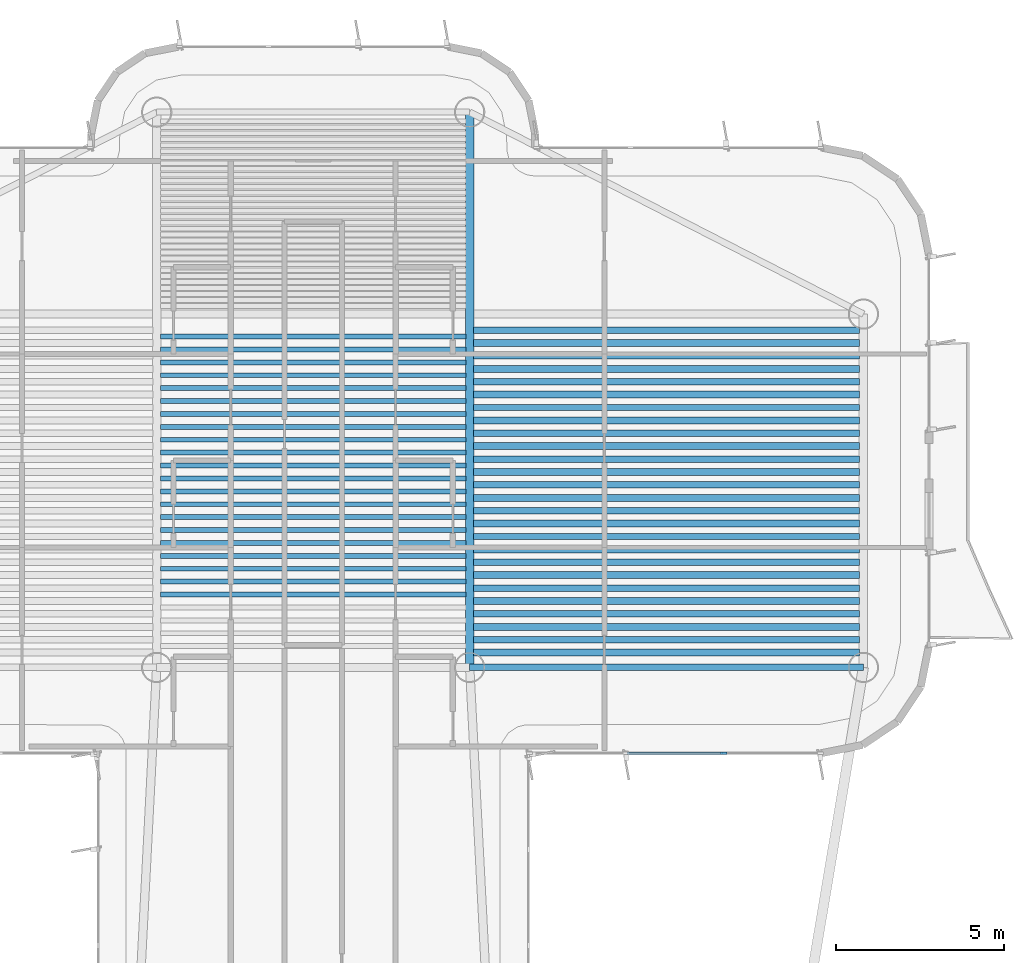
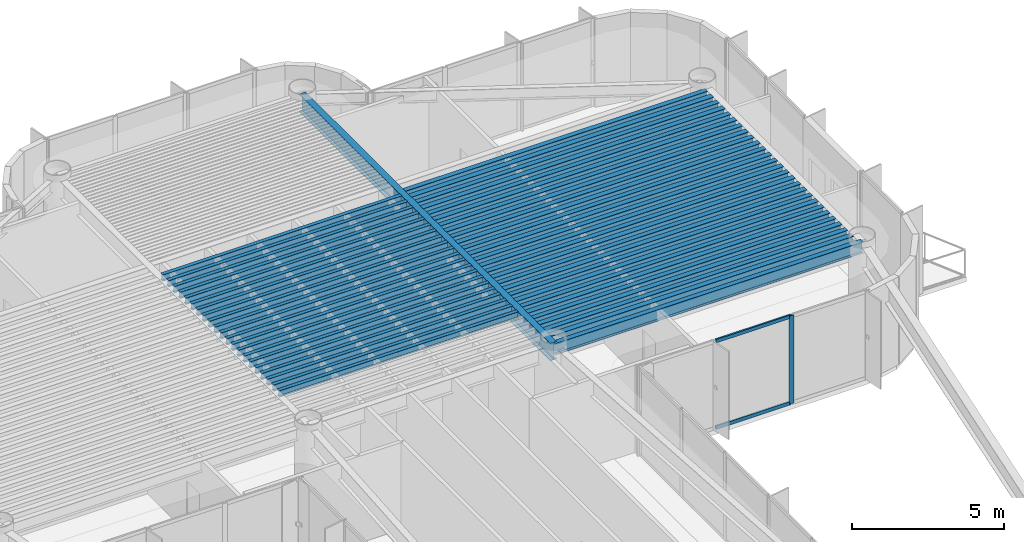
# One storey, part 6 of 16: 49 beams, 3 members, 1 element without a shape of its own.
"""IFC4 building model written with IfcOpenShell, lengths in metres."""

from ifc_helpers import new_model, si_unit, direction, frame, origin, origin_2d, place, context, subcontext, project, spatial, rectangle, i_section, extrude, source, transform, mapped, material, layer, layer_set, material_profile, profile_set, type_object, element, aggregate, save


model = new_model("IFC4")

# Units and contexts
model_context = context("Model", 3, precision=1e-05, world=origin(), true_north=direction((0.0, 1.0)))
body_context = subcontext(model_context, "Body", "Model", "MODEL_VIEW")
ifc_project = project(units=[si_unit("LENGTHUNIT", "METRE"), si_unit("AREAUNIT", "SQUARE_METRE"), si_unit("VOLUMEUNIT", "CUBIC_METRE"), si_unit("PLANEANGLEUNIT", "RADIAN"), si_unit("MASSUNIT", "GRAM", prefix="KILO")], contexts=[model_context])

# Site, building, storey
site_placement = place(None, origin())
site = spatial("IfcSite", under=ifc_project, at=site_placement, CompositionType="ELEMENT")
building_placement = place(site_placement, origin())
building = spatial("IfcBuilding", under=site, at=building_placement, Name="Brelvock Crest Care Tower", CompositionType="ELEMENT")
storey_placement = place(building_placement, frame((0.0, 0.0, 238.139892578125)))
storey = spatial("IfcBuildingStorey", under=building, at=storey_placement, Name="L60", CompositionType="ELEMENT", Elevation=238.139892578125)

# Beams
ifc_material_1 = material(Name="Steel Grade 350", Category="steel")
ifc_material_profile_1 = material_profile(ifc_material_1, i_section(OverallWidth=0.14599609375, OverallDepth=0.256103515625, WebThickness=0.00634765625, FlangeThickness=0.010986328125, FilletRadius=0.0087890625, at=origin_2d()), Name="250UB37.3")
ifc_profile_set_1 = profile_set([ifc_material_profile_1], Name="Steel Grade 350")
beam_type_1 = type_object("IfcBeamType", Name="BM-J3", PredefinedType="JOIST", material=ifc_profile_set_1)
shared_shape_1 = source(origin(), body_context, "Body", "SweptSolid", [
    extrude(i_section(OverallWidth=0.14599609375, OverallDepth=0.256103515625, WebThickness=0.00634765625, FlangeThickness=0.010986328125, FilletRadius=0.0087890625, at=origin_2d()), origin(), (0.0, 0.0, 1.0), 9.06982421875),
])
for number, where, z_axis, x_axis, name in (
    (1, (31.465087890625, 46.115478515625, 3.402099609375), (1.0, 0.0, 0.0), (0.0, 1.0, 0.0), "BM-JH-L60-5"),
    (2, (31.465087890625, 46.498779296875, 3.402099609375), (1.0, 0.0, 0.0), (0.0, 1.0, 0.0), "BM-JH-L60-6"),
    (3, (31.465087890625, 46.882080078125, 3.402099609375), (1.0, 0.0, 0.0), (0.0, 1.0, 0.0), "BM-JH-L60-7"),
    (4, (31.465087890625, 47.265380859375, 3.402099609375), (1.0, 0.0, 0.0), (0.0, 1.0, 0.0), "BM-JH-L60-8"),
    (5, (31.465087890625, 47.648681640625, 3.402099609375), (1.0, 0.0, 0.0), (0.0, 1.0, 0.0), "BM-JH-L60-9"),
    (6, (31.465087890625, 48.031982421875, 3.402099609375), (1.0, 0.0, 0.0), (0.0, 1.0, 0.0), "BM-JH-L60-10"),
    (7, (31.465087890625, 48.4150390625, 3.402099609375), (1.0, 0.0, 0.0), (0.0, 1.0, 0.0), "BM-JH-L60-11"),
    (8, (31.465087890625, 48.79833984375, 3.402099609375), (1.0, 0.0, 0.0), (0.0, 1.0, 0.0), "BM-JH-L60-12"),
    (9, (31.465087890625, 49.181640625, 3.402099609375), (1.0, 0.0, 0.0), (0.0, 1.0, 0.0), "BM-JH-L60-13"),
    (10, (31.465087890625, 49.564697265625, 3.402099609375), (1.0, 0.0, 0.0), (0.0, 1.0, 0.0), "BM-JH-L60-14"),
    (11, (31.465087890625, 49.947998046875, 3.402099609375), (1.0, 0.0, 0.0), (0.0, 1.0, 0.0), "BM-JH-L60-15"),
    (12, (31.465087890625, 50.331298828125, 3.402099609375), (1.0, 0.0, 0.0), (0.0, 1.0, 0.0), "BM-JH-L60-16"),
    (13, (31.465087890625, 50.714599609375, 3.402099609375), (1.0, 0.0, 0.0), (0.0, 1.0, 0.0), "BM-JH-L60-17"),
    (14, (31.465087890625, 51.097900390625, 3.402099609375), (1.0, 0.0, 0.0), (0.0, 1.0, 0.0), "BM-JH-L60-18"),
    (15, (31.465087890625, 51.481201171875, 3.402099609375), (1.0, 0.0, 0.0), (0.0, 1.0, 0.0), "BM-JH-L60-19"),
    (16, (31.465087890625, 51.864501953125, 3.402099609375), (1.0, 0.0, 0.0), (0.0, 1.0, 0.0), "BM-JH-L60-20"),
    (17, (31.465087890625, 52.24755859375, 3.402099609375), (1.0, 0.0, 0.0), (0.0, 1.0, 0.0), "BM-JH-L60-21"),
    (18, (31.465087890625, 52.630859375, 3.402099609375), (1.0, 0.0, 0.0), (0.0, 1.0, 0.0), "BM-JH-L60-22"),
    (19, (31.465087890625, 53.01416015625, 3.402099609375), (1.0, 0.0, 0.0), (0.0, 1.0, 0.0), "BM-JH-L60-23"),
    (20, (31.465087890625, 53.3974609375, 3.402099609375), (1.0, 0.0, 0.0), (0.0, 1.0, 0.0), "BM-JH-L60-24"),
    (21, (31.465087890625, 53.780517578125, 3.402099609375), (1.0, 0.0, 0.0), (0.0, 1.0, 0.0), "BM-JH-L60-25"),
):
    element("IfcBeam", number, at=place(storey_placement, frame(where, z_axis=z_axis, x_axis=x_axis)), inside=storey, type_object=beam_type_1, Name=name, PredefinedType="JOIST", context=body_context, shape_type="MappedRepresentation", body=[
        mapped(shared_shape_1, transform((0.0, 0.0, 0.0), x_axis=(1.0, 0.0, 0.0), y_axis=(0.0, 1.0, 0.0), z_axis=(0.0, 0.0, 1.0), scale=1.0)),
    ])
ifc_material_profile_2 = material_profile(ifc_material_1, i_section(OverallWidth=0.19091796875, OverallDepth=0.4599609375, WebThickness=0.010009765625, FlangeThickness=0.01611328125, FilletRadius=0.011474609375, at=origin_2d()), Name="460UB82.1")
ifc_profile_set_2 = profile_set([ifc_material_profile_2], Name="Steel Grade 350")
beam_type_2 = type_object("IfcBeamType", Name="BM-G3", PredefinedType="BEAM", material=ifc_profile_set_2)
shared_shape_2 = source(origin(), body_context, "Body", "SweptSolid", [
    extrude(i_section(OverallWidth=0.19091796875, OverallDepth=0.4599609375, WebThickness=0.010009765625, FlangeThickness=0.01611328125, FilletRadius=0.011474609375, at=origin_2d()), origin(), (0.0, 0.0, 1.0), 11.47021484375),
])
for number, where, z_axis, x_axis, name in (
    (22, (40.764892578125, 44.7744140625, 3.300048828125), (1.0, 0.0, 0.0), (0.0, 1.0, 0.0), "BM-JE-L60-2"),
    (23, (40.764892578125, 45.540771484375, 3.300048828125), (1.0, 0.0, 0.0), (0.0, 1.0, 0.0), "BM-JE-L60-4"),
    (24, (40.764892578125, 46.307373046875, 3.300048828125), (1.0, 0.0, 0.0), (0.0, 1.0, 0.0), "BM-JE-L60-6"),
    (25, (40.764892578125, 47.07373046875, 3.300048828125), (1.0, 0.0, 0.0), (0.0, 1.0, 0.0), "BM-JE-L60-8"),
    (26, (40.764892578125, 47.84033203125, 3.300048828125), (1.0, 0.0, 0.0), (0.0, 1.0, 0.0), "BM-JE-L60-10"),
    (27, (40.764892578125, 48.606689453125, 3.300048828125), (1.0, 0.0, 0.0), (0.0, 1.0, 0.0), "BM-JE-L60-12"),
    (28, (40.764892578125, 49.373291015625, 3.300048828125), (1.0, 0.0, 0.0), (0.0, 1.0, 0.0), "BM-JE-L60-14"),
    (29, (40.764892578125, 50.139892578125, 3.300048828125), (1.0, 0.0, 0.0), (0.0, 1.0, 0.0), "BM-JE-L60-16"),
    (30, (40.764892578125, 50.90625, 3.300048828125), (1.0, 0.0, 0.0), (0.0, 1.0, 0.0), "BM-JE-L60-18"),
    (31, (40.764892578125, 51.6728515625, 3.300048828125), (1.0, 0.0, 0.0), (0.0, 1.0, 0.0), "BM-JE-L60-20"),
    (32, (40.764892578125, 52.439208984375, 3.300048828125), (1.0, 0.0, 0.0), (0.0, 1.0, 0.0), "BM-JE-L60-22"),
    (33, (40.764892578125, 53.205810546875, 3.300048828125), (1.0, 0.0, 0.0), (0.0, 1.0, 0.0), "BM-JE-L60-24"),
    (34, (40.764892578125, 53.972412109375, 3.300048828125), (1.0, 0.0, 0.0), (0.0, 1.0, 0.0), "BM-JE-L60-26"),
):
    element("IfcBeam", number, at=place(storey_placement, frame(where, z_axis=z_axis, x_axis=x_axis)), inside=storey, type_object=beam_type_2, Name=name, PredefinedType="BEAM", context=body_context, shape_type="MappedRepresentation", body=[
        mapped(shared_shape_2, transform((0.0, 0.0, 0.0), x_axis=(1.0, 0.0, 0.0), y_axis=(0.0, 1.0, 0.0), z_axis=(0.0, 0.0, 1.0), scale=1.0)),
    ])
ifc_material_profile_3 = material_profile(ifc_material_1, i_section(OverallWidth=0.208984375, OverallDepth=0.532958984375, WebThickness=0.01025390625, FlangeThickness=0.015625, FilletRadius=0.013916015625, at=origin_2d()), Name="530UB92.4")
ifc_profile_set_3 = profile_set([ifc_material_profile_3], Name="Steel Grade 350")
beam_type_3 = type_object("IfcBeamType", Name="BM-G2", PredefinedType="BEAM", material=ifc_profile_set_3)
shared_shape_3 = source(origin(), body_context, "Body", "SweptSolid", [
    extrude(i_section(OverallWidth=0.208984375, OverallDepth=0.532958984375, WebThickness=0.01025390625, FlangeThickness=0.015625, FilletRadius=0.013916015625, at=origin_2d()), origin(), (0.0, 0.0, 1.0), 11.47021484375),
])
for number, where, z_axis, x_axis, name in (
    (35, (40.764892578125, 44.39111328125, 3.263671875), (1.0, 0.0, 0.0), (0.0, 1.0, 0.0), "BM-JE-L60-1"),
    (36, (40.764892578125, 45.157470703125, 3.263671875), (1.0, 0.0, 0.0), (0.0, 1.0, 0.0), "BM-JE-L60-3"),
    (37, (40.764892578125, 45.924072265625, 3.263671875), (1.0, 0.0, 0.0), (0.0, 1.0, 0.0), "BM-JE-L60-5"),
    (38, (40.764892578125, 46.6904296875, 3.263671875), (1.0, 0.0, 0.0), (0.0, 1.0, 0.0), "BM-JE-L60-7"),
    (39, (40.764892578125, 47.45703125, 3.263671875), (1.0, 0.0, 0.0), (0.0, 1.0, 0.0), "BM-JE-L60-9"),
    (40, (40.764892578125, 48.223388671875, 3.263671875), (1.0, 0.0, 0.0), (0.0, 1.0, 0.0), "BM-JE-L60-11"),
    (41, (40.764892578125, 48.989990234375, 3.263671875), (1.0, 0.0, 0.0), (0.0, 1.0, 0.0), "BM-JE-L60-13"),
    (42, (40.764892578125, 49.756591796875, 3.263671875), (1.0, 0.0, 0.0), (0.0, 1.0, 0.0), "BM-JE-L60-15"),
    (43, (40.764892578125, 50.52294921875, 3.263671875), (1.0, 0.0, 0.0), (0.0, 1.0, 0.0), "BM-JE-L60-17"),
    (44, (40.764892578125, 51.28955078125, 3.263671875), (1.0, 0.0, 0.0), (0.0, 1.0, 0.0), "BM-JE-L60-19"),
    (45, (40.764892578125, 52.055908203125, 3.263671875), (1.0, 0.0, 0.0), (0.0, 1.0, 0.0), "BM-JE-L60-21"),
    (46, (40.764892578125, 52.822509765625, 3.263671875), (1.0, 0.0, 0.0), (0.0, 1.0, 0.0), "BM-JE-L60-23"),
    (47, (40.764892578125, 53.589111328125, 3.263671875), (1.0, 0.0, 0.0), (0.0, 1.0, 0.0), "BM-JE-L60-25"),
):
    element("IfcBeam", number, at=place(storey_placement, frame(where, z_axis=z_axis, x_axis=x_axis)), inside=storey, type_object=beam_type_3, Name=name, PredefinedType="BEAM", context=body_context, shape_type="MappedRepresentation", body=[
        mapped(shared_shape_3, transform((0.0, 0.0, 0.0), x_axis=(1.0, 0.0, 0.0), y_axis=(0.0, 1.0, 0.0), z_axis=(0.0, 0.0, 1.0), scale=1.0)),
    ])
ifc_material_profile_4 = material_profile(ifc_material_1, i_section(OverallWidth=0.19091796875, OverallDepth=0.4599609375, WebThickness=0.010009765625, FlangeThickness=0.01611328125, FilletRadius=0.011474609375, at=origin_2d()), Name="460UB82.1")
ifc_profile_set_4 = profile_set([ifc_material_profile_4], Name="Steel Grade 350")
beam_type_4 = type_object("IfcBeamType", Name="BM-SP2", PredefinedType="SPANDREL", material=ifc_profile_set_4)
shared_shape_4 = source(origin(), body_context, "Body", "SweptSolid", [
    extrude(i_section(OverallWidth=0.19091796875, OverallDepth=0.4599609375, WebThickness=0.010009765625, FlangeThickness=0.01611328125, FilletRadius=0.011474609375, at=origin_2d()), origin(), (0.0, 0.0, 1.0), 11.7001953125),
])
beam_1_placement = place(storey_placement, frame((40.64990234375, 43.949951171875, 3.300048828125), z_axis=(1.0, 0.0, 0.0), x_axis=(0.0, 1.0, 0.0)))
element("IfcBeam", 48, at=beam_1_placement, inside=storey, type_object=beam_type_4, Name="BM-TWR-L60-04", PredefinedType="SPANDREL", context=body_context, shape_type="MappedRepresentation", body=[
    mapped(shared_shape_4, transform((0.0, 0.0, 0.0), x_axis=(1.0, 0.0, 0.0), y_axis=(0.0, 1.0, 0.0), z_axis=(0.0, 0.0, 1.0), scale=1.0)),
])
ifc_material_profile_5 = material_profile(ifc_material_1, i_section(OverallWidth=0.25, OverallDepth=0.699951171875, WebThickness=0.011962890625, FlangeThickness=0.02001953125, at=origin_2d()), Name="700WB150")
ifc_profile_set_5 = profile_set([ifc_material_profile_5], Name="Steel Grade 350")
beam_type_5 = type_object("IfcBeamType", Name="BM-G4", PredefinedType="BEAM", material=ifc_profile_set_5)
shared_shape_5 = source(origin(), body_context, "Body", "SweptSolid", [
    extrude(i_section(OverallWidth=0.25, OverallDepth=0.699951171875, WebThickness=0.011962890625, FlangeThickness=0.02001953125, at=origin_2d()), origin(), (0.0, 0.0, 1.0), 16.5),
])
beam_2_placement = place(storey_placement, frame((40.64990234375, 43.949951171875, 3.18017578125), z_axis=(0.0, 1.0, 0.0), x_axis=(-1.0, 0.0, 0.0)))
element("IfcBeam", 49, at=beam_2_placement, inside=storey, type_object=beam_type_5, Name="BM-TWR-L60-10", PredefinedType="BEAM", context=body_context, shape_type="MappedRepresentation", body=[
    mapped(shared_shape_5, transform((0.0, 0.0, 0.0), x_axis=(1.0, 0.0, 0.0), y_axis=(0.0, 1.0, 0.0), z_axis=(0.0, 0.0, 1.0), scale=1.0)),
])

# Curtain wall, members
ifc_material_2 = material(Name="Dark Glass Double Glazed Low-E", Category="glass")
ifc_layer = layer(ifc_material_2, 0.239990234375, Name="CWS-5")
ifc_layer_set = layer_set([ifc_layer], Name="Dark Glass Double Glazed Low-E")
curtain_wall_type = type_object("IfcCurtainWallType", Name="CWS-5", PredefinedType="NOTDEFINED", material=ifc_layer_set)
curtain_wall_placement = place(storey_placement, origin())
curtain_wall = element("IfcCurtainWall", 50, at=curtain_wall_placement, inside=storey, type_object=curtain_wall_type, Name="L60 Curtain Wall E44", PredefinedType="NOTDEFINED")
ifc_material_3 = material(Name="Aluminium 6063-T6", Category="aluminium")
ifc_material_profile_6 = material_profile(ifc_material_3, rectangle(XDim=0.06005859375, YDim=0.179931640625, at=origin_2d()), Name="ALU60x180")
ifc_profile_set_6 = profile_set([ifc_material_profile_6], Name="Aluminium 6063-T6")
member_type_1 = type_object("IfcMemberType", Name="CWM-2", PredefinedType="MULLION", material=ifc_profile_set_6)
shared_shape_6 = source(origin(), body_context, "Body", "SweptSolid", [
    extrude(rectangle(XDim=0.06005859375, YDim=0.179931640625, at=origin_2d()), origin(), (0.0, 0.0, 1.0), 3.530029296875),
])
member_1_placement = place(storey_placement, frame((48.199951171875, 41.39990234375, 0.0), z_axis=(0.0, 0.0, 1.0), x_axis=(0.0, -1.0, 0.0)))
member_1 = element("IfcMember", 51, at=member_1_placement, type_object=member_type_1, Name="CW-5 mullion 2", PredefinedType="MULLION", context=body_context, shape_type="MappedRepresentation", body=[
    mapped(shared_shape_6, transform((0.0, 0.0, 0.0), x_axis=(1.0, 0.0, 0.0), y_axis=(0.0, 1.0, 0.0), z_axis=(0.0, 0.0, 1.0), scale=1.0)),
])
ifc_material_profile_7 = material_profile(ifc_material_3, rectangle(XDim=0.06005859375, YDim=0.139892578125, at=origin_2d()), Name="ALU60x140")
ifc_profile_set_7 = profile_set([ifc_material_profile_7], Name="Aluminium 6063-T6")
member_type_2 = type_object("IfcMemberType", Name="CWT-2", PredefinedType="USERDEFINED", material=ifc_profile_set_7)
shared_shape_7 = source(origin(), body_context, "Body", "SweptSolid", [
    extrude(rectangle(XDim=0.06005859375, YDim=0.139892578125, at=origin_2d()), origin(), (0.0, 0.0, 1.0), 2.83984375),
])
member_2_placement = place(storey_placement, frame((48.169921875, 41.39990234375, 0.030029296875), z_axis=(-1.0, 0.0, 0.0), x_axis=(0.0, -1.0, 0.0)))
member_2 = element("IfcMember", 52, at=member_2_placement, type_object=member_type_2, Name="CW-5 transom 2.1", ObjectType="TRANSOM", PredefinedType="USERDEFINED", context=body_context, shape_type="MappedRepresentation", body=[
    mapped(shared_shape_7, transform((0.0, 0.0, 0.0), x_axis=(1.0, 0.0, 0.0), y_axis=(0.0, 1.0, 0.0), z_axis=(0.0, 0.0, 1.0), scale=1.0)),
])
member_3_placement = place(storey_placement, frame((48.169921875, 41.39990234375, 3.5), z_axis=(-1.0, 0.0, 0.0), x_axis=(0.0, -1.0, 0.0)))
member_3 = element("IfcMember", 53, at=member_3_placement, type_object=member_type_2, Name="CW-5 transom 2.2", ObjectType="TRANSOM", PredefinedType="USERDEFINED", context=body_context, shape_type="MappedRepresentation", body=[
    mapped(shared_shape_7, transform((0.0, 0.0, 0.0), x_axis=(1.0, 0.0, 0.0), y_axis=(0.0, 1.0, 0.0), z_axis=(0.0, 0.0, 1.0), scale=1.0)),
])
aggregate(curtain_wall, [member_1, member_2, member_3])

save(model, "model.ifc")
